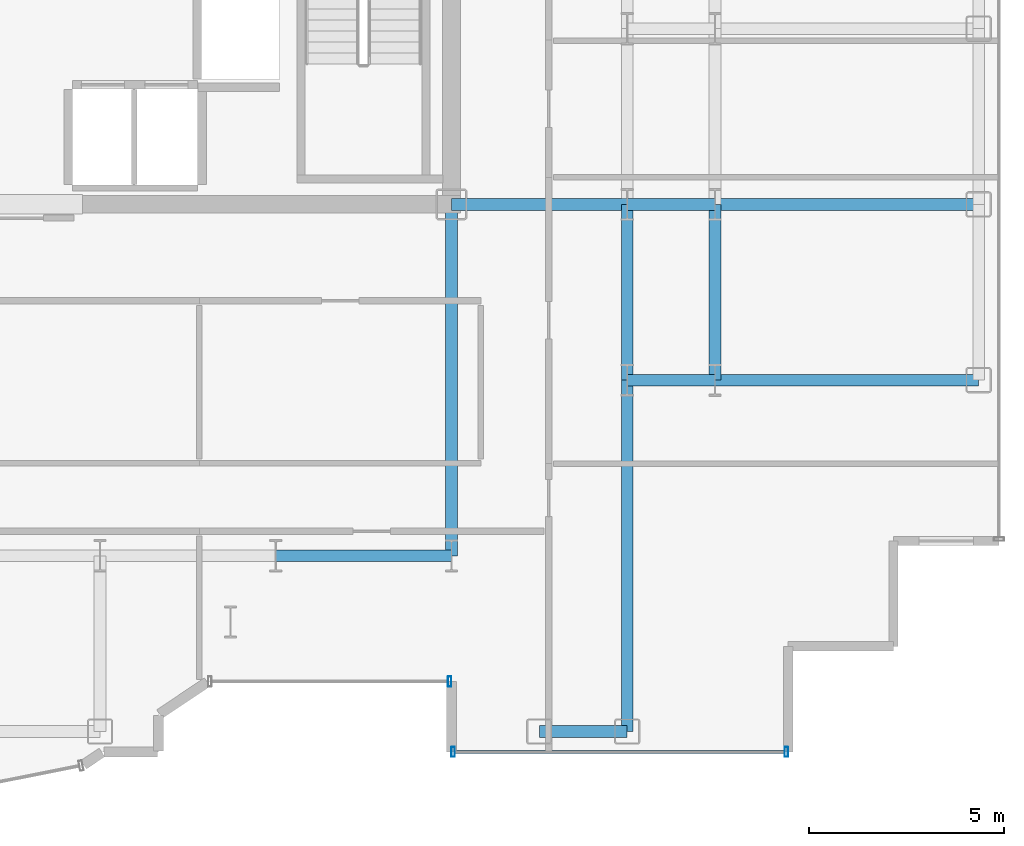
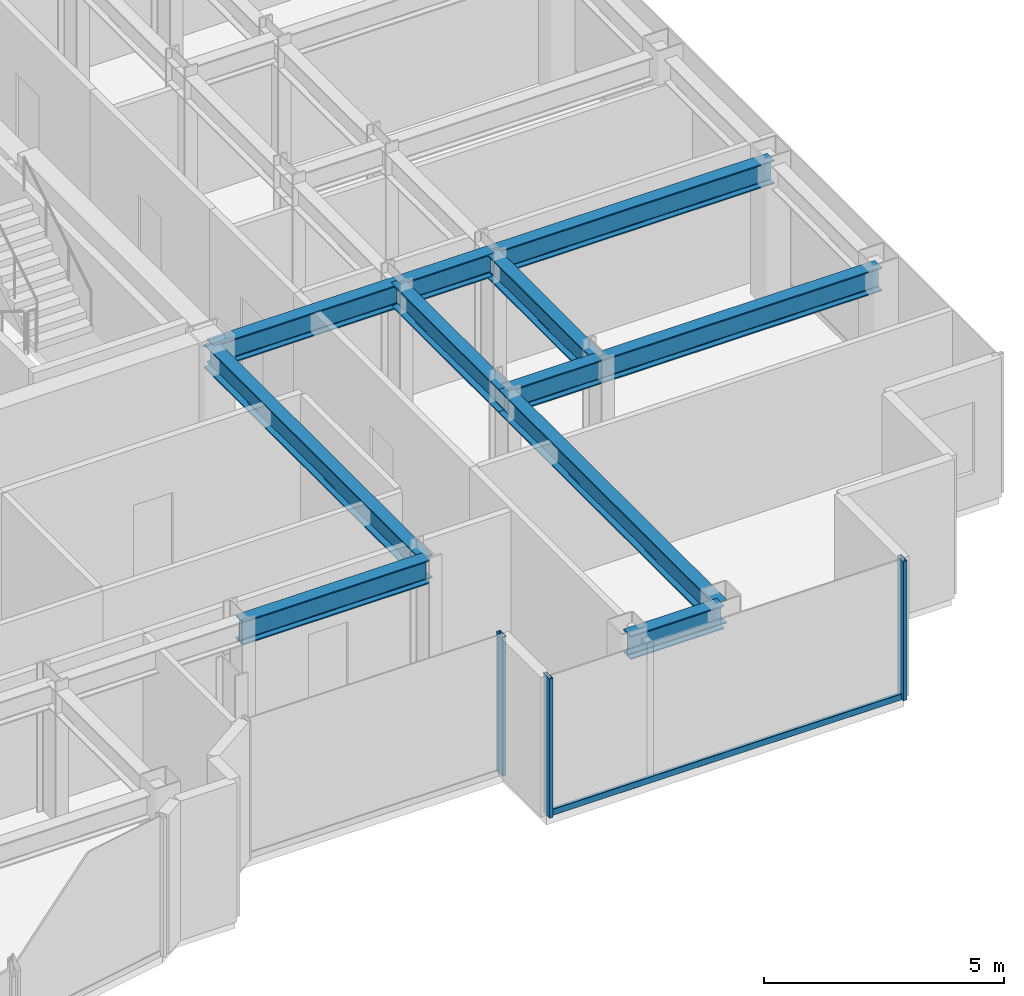
# One storey, part 5 of 20: 11 beams, 4 members, 2 elements without a shape of their own.
"""IFC4 building model written with IfcOpenShell, lengths in metres."""

from ifc_helpers import new_model, si_unit, direction, frame, origin, origin_2d, place, context, subcontext, project, spatial, hollow_rectangle, i_section, extrude, source, transform, mapped, material, layer, layer_set, material_profile, profile_set, type_object, element, aggregate, save


model = new_model("IFC4")

# Units and contexts
model_context = context("Model", 3, precision=1e-05, world=origin(), true_north=direction((0.0, 1.0)))
body_context = subcontext(model_context, "Body", "Model", "MODEL_VIEW")
ifc_project = project(units=[si_unit("LENGTHUNIT", "METRE"), si_unit("AREAUNIT", "SQUARE_METRE"), si_unit("VOLUMEUNIT", "CUBIC_METRE"), si_unit("PLANEANGLEUNIT", "RADIAN"), si_unit("MASSUNIT", "GRAM", prefix="KILO")], contexts=[model_context])

# Site, building, storey
site_placement = place(None, origin())
site = spatial("IfcSite", under=ifc_project, at=site_placement, CompositionType="ELEMENT")
building_placement = place(site_placement, origin())
building = spatial("IfcBuilding", under=site, at=building_placement, Name="Nefas-Gora Pilgrimage Tower", CompositionType="ELEMENT")
storey_placement = place(building_placement, frame((0.0, 0.0, 244.60009765625)))
storey = spatial("IfcBuildingStorey", under=building, at=storey_placement, Name="L61", CompositionType="ELEMENT", Elevation=244.60009765625)

# Beams
ifc_material_1 = material(Name="Steel S355", Category="steel")
ifc_material_profile_1 = material_profile(ifc_material_1, i_section(OverallWidth=0.300048828125, OverallDepth=0.60009765625, WebThickness=0.015380859375, FlangeThickness=0.030029296875, FilletRadius=0.027099609375, at=origin_2d()), Name="HEB 600")
ifc_profile_set_1 = profile_set([ifc_material_profile_1], Name="Steel S355")
beam_type_1 = type_object("IfcBeamType", Name="BM-GIR-HEB600", PredefinedType="BEAM", material=ifc_profile_set_1)
shared_shape_1 = source(origin(), body_context, "Body", "SweptSolid", [
    extrude(i_section(OverallWidth=0.300048828125, OverallDepth=0.60009765625, WebThickness=0.015380859375, FlangeThickness=0.030029296875, FilletRadius=0.027099609375, at=origin_2d()), origin(), (0.0, 0.0, 1.0), 9.0),
])
for number, where, z_axis, x_axis, name in (
    (1, (11.25, -18.0, 3.25), (0.0, 1.0, 0.0), (-1.0, 0.0, 0.0), "L61 G-04 beam"),
    (2, (15.75, -22.5, 3.25), (0.0, 1.0, 0.0), (-1.0, 0.0, 0.0), "L61 G-04 beam"),
):
    element("IfcBeam", number, at=place(storey_placement, frame(where, z_axis=z_axis, x_axis=x_axis)), inside=storey, type_object=beam_type_1, Name=name, PredefinedType="BEAM", context=body_context, shape_type="MappedRepresentation", body=[
        mapped(shared_shape_1, transform((0.0, 0.0, 0.0), x_axis=(1.0, 0.0, 0.0), y_axis=(0.0, 1.0, 0.0), z_axis=(0.0, 0.0, 1.0), scale=1.0)),
    ])
shared_shape_2 = source(origin(), body_context, "Body", "SweptSolid", [
    extrude(i_section(OverallWidth=0.300048828125, OverallDepth=0.60009765625, WebThickness=0.015380859375, FlangeThickness=0.030029296875, FilletRadius=0.027099609375, at=origin_2d()), origin(), (0.0, 0.0, 1.0), 4.5),
])
for number, where, z_axis, x_axis, name in (
    (3, (6.75, -18.0, 3.25), (1.0, 0.0, 0.0), (0.0, 1.0, 0.0), "L61 G-04 beam"),
    (4, (11.25, -9.0, 3.25), (1.0, 0.0, 0.0), (0.0, 1.0, 0.0), "L61 G-04 beam"),
    (5, (15.75, -13.5, 3.25), (0.0, 1.0, 0.0), (-1.0, 0.0, 0.0), "L61 G-04 beam"),
    (6, (18.0, -13.5, 3.25), (0.0, 1.0, 0.0), (-1.0, 0.0, 0.0), "L61 G-04 beam"),
):
    element("IfcBeam", number, at=place(storey_placement, frame(where, z_axis=z_axis, x_axis=x_axis)), inside=storey, type_object=beam_type_1, Name=name, PredefinedType="BEAM", context=body_context, shape_type="MappedRepresentation", body=[
        mapped(shared_shape_2, transform((0.0, 0.0, 0.0), x_axis=(1.0, 0.0, 0.0), y_axis=(0.0, 1.0, 0.0), z_axis=(0.0, 0.0, 1.0), scale=1.0)),
    ])
shared_shape_3 = source(origin(), body_context, "Body", "SweptSolid", [
    extrude(i_section(OverallWidth=0.300048828125, OverallDepth=0.60009765625, WebThickness=0.015380859375, FlangeThickness=0.030029296875, FilletRadius=0.027099609375, at=origin_2d()), origin(), (0.0, 0.0, 1.0), 6.75),
])
for number, where, z_axis, x_axis, name in (
    (7, (18.0, -13.5, 3.25), (1.0, 0.0, 0.0), (0.0, 1.0, 0.0), "L61 G-04 beam"),
    (8, (18.0, -9.0, 3.25), (1.0, 0.0, 0.0), (0.0, 1.0, 0.0), "L61 G-04 beam"),
):
    element("IfcBeam", number, at=place(storey_placement, frame(where, z_axis=z_axis, x_axis=x_axis)), inside=storey, type_object=beam_type_1, Name=name, PredefinedType="BEAM", context=body_context, shape_type="MappedRepresentation", body=[
        mapped(shared_shape_3, transform((0.0, 0.0, 0.0), x_axis=(1.0, 0.0, 0.0), y_axis=(0.0, 1.0, 0.0), z_axis=(0.0, 0.0, 1.0), scale=1.0)),
    ])
ifc_material_profile_2 = material_profile(ifc_material_1, i_section(OverallWidth=0.300048828125, OverallDepth=0.60009765625, WebThickness=0.015380859375, FlangeThickness=0.030029296875, FilletRadius=0.027099609375, at=origin_2d()), Name="HEB 600")
ifc_profile_set_2 = profile_set([ifc_material_profile_2], Name="Steel S355")
beam_type_2 = type_object("IfcBeamType", Name="BM-SPN-HEB450", PredefinedType="SPANDREL", material=ifc_profile_set_2)
shared_shape_4 = source(origin(), body_context, "Body", "SweptSolid", [
    extrude(i_section(OverallWidth=0.300048828125, OverallDepth=0.60009765625, WebThickness=0.015380859375, FlangeThickness=0.030029296875, FilletRadius=0.027099609375, at=origin_2d()), origin(), (0.0, 0.0, 1.0), 2.25),
])
beam_placement = place(storey_placement, frame((13.5, -22.5, 3.25), z_axis=(1.0, 0.0, 0.0), x_axis=(0.0, 1.0, 0.0)))
element("IfcBeam", 9, at=beam_placement, inside=storey, type_object=beam_type_2, Name="L61 SP-03 beam", PredefinedType="SPANDREL", context=body_context, shape_type="MappedRepresentation", body=[
    mapped(shared_shape_4, transform((0.0, 0.0, 0.0), x_axis=(1.0, 0.0, 0.0), y_axis=(0.0, 1.0, 0.0), z_axis=(0.0, 0.0, 1.0), scale=1.0)),
])
shared_shape_5 = source(origin(), body_context, "Body", "SweptSolid", [
    extrude(i_section(OverallWidth=0.300048828125, OverallDepth=0.60009765625, WebThickness=0.015380859375, FlangeThickness=0.030029296875, FilletRadius=0.027099609375, at=origin_2d()), origin(), (0.0, 0.0, 1.0), 2.25),
])
for number, where, z_axis, x_axis, name in (
    (10, (15.75, -13.5, 3.25), (1.0, 0.0, 0.0), (0.0, 1.0, 0.0), "L61 G-04 beam"),
    (11, (15.75, -9.0, 3.25), (1.0, 0.0, 0.0), (0.0, 1.0, 0.0), "L61 G-04 beam"),
):
    element("IfcBeam", number, at=place(storey_placement, frame(where, z_axis=z_axis, x_axis=x_axis)), inside=storey, type_object=beam_type_1, Name=name, PredefinedType="BEAM", context=body_context, shape_type="MappedRepresentation", body=[
        mapped(shared_shape_5, transform((0.0, 0.0, 0.0), x_axis=(1.0, 0.0, 0.0), y_axis=(0.0, 1.0, 0.0), z_axis=(0.0, 0.0, 1.0), scale=1.0)),
    ])

# Curtain wall, member
ifc_material_2 = material(Name="Dark ceramic-fritted solar-control aluminium-glass curtain wall", Category="aluminium")
ifc_layer_1 = layer(ifc_material_2, 0.219970703125)
ifc_layer_set_1 = layer_set([ifc_layer_1], Name="Dark ceramic-fritted solar-control aluminium-glass curtain wall")
curtain_wall_type_1 = type_object("IfcCurtainWallType", Name="CW-SYS-5", PredefinedType="NOTDEFINED", material=ifc_layer_set_1)
curtain_wall_1_placement = place(storey_placement, origin())
curtain_wall_1 = element("IfcCurtainWall", 12, at=curtain_wall_1_placement, inside=storey, type_object=curtain_wall_type_1, Name="L61 Unitised Curtain Wall CW5", PredefinedType="NOTDEFINED")
ifc_material_3 = material(Name="Anodised architectural aluminium", Category="aluminium")
ifc_material_profile_3 = material_profile(ifc_material_3, hollow_rectangle(XDim=0.090087890625, YDim=0.260009765625, WallThickness=0.006103515625, InnerFilletRadius=0.006103515625, OuterFilletRadius=0.011962890625, at=origin_2d()), Name="ALU MULLION 90x260")
ifc_profile_set_3 = profile_set([ifc_material_profile_3], Name="Anodised architectural aluminium")
member_type_1 = type_object("IfcMemberType", Name="CWM-MUL-5", PredefinedType="MULLION", material=ifc_profile_set_3)
shared_shape_6 = source(origin(), body_context, "Body", "SweptSolid", [
    extrude(hollow_rectangle(XDim=0.090087890625, YDim=0.260009765625, WallThickness=0.006103515625, InnerFilletRadius=0.006103515625, OuterFilletRadius=0.011962890625, at=origin_2d()), origin(), (0.0, 0.0, 1.0), 3.5498046875),
])
member_1_placement = place(storey_placement, frame((11.205078125, -21.219970703125, 0.0), z_axis=(0.0, 0.0, 1.0), x_axis=(1.0, 0.0, 0.0)))
member_1 = element("IfcMember", 13, at=member_1_placement, type_object=member_type_1, Name="CW5 Mullion 2", PredefinedType="MULLION", context=body_context, shape_type="MappedRepresentation", body=[
    mapped(shared_shape_6, transform((0.0, 0.0, 0.0), x_axis=(1.0, 0.0, 0.0), y_axis=(0.0, 1.0, 0.0), z_axis=(0.0, 0.0, 1.0), scale=1.0)),
])
aggregate(curtain_wall_1, [member_1])

# Curtain wall, members
ifc_layer_2 = layer(ifc_material_2, 0.219970703125)
ifc_layer_set_2 = layer_set([ifc_layer_2], Name="Dark ceramic-fritted solar-control aluminium-glass curtain wall")
curtain_wall_type_2 = type_object("IfcCurtainWallType", Name="CW-SYS-3", PredefinedType="NOTDEFINED", material=ifc_layer_set_2)
curtain_wall_2_placement = place(storey_placement, origin())
curtain_wall_2 = element("IfcCurtainWall", 14, at=curtain_wall_2_placement, inside=storey, type_object=curtain_wall_type_2, Name="L61 Unitised Curtain Wall CW3", PredefinedType="NOTDEFINED")
ifc_material_profile_4 = material_profile(ifc_material_3, hollow_rectangle(XDim=0.080078125, YDim=0.159912109375, WallThickness=0.00439453125, InnerFilletRadius=0.00439453125, OuterFilletRadius=0.009033203125, at=origin_2d()), Name="ALU TRANSOM 80x160")
ifc_profile_set_4 = profile_set([ifc_material_profile_4], Name="Anodised architectural aluminium")
member_type_2 = type_object("IfcMemberType", Name="CWM-TRN-3", PredefinedType="USERDEFINED", material=ifc_profile_set_4)
shared_shape_7 = source(origin(), body_context, "Body", "SweptSolid", [
    extrude(hollow_rectangle(XDim=0.080078125, YDim=0.159912109375, WallThickness=0.00439453125, InnerFilletRadius=0.00439453125, OuterFilletRadius=0.009033203125, at=origin_2d()), origin(), (0.0, 0.0, 1.0), 8.43994140625),
])
member_2_placement = place(storey_placement, frame((11.340087890625, -23.02001953125, 0.0498046875), z_axis=(1.0, 0.0, 0.0), x_axis=(0.0, 1.0, 0.0)))
member_2 = element("IfcMember", 15, at=member_2_placement, type_object=member_type_2, Name="CW3 Spandrel Transom", ObjectType="TRANSOM", PredefinedType="USERDEFINED", context=body_context, shape_type="MappedRepresentation", body=[
    mapped(shared_shape_7, transform((0.0, 0.0, 0.0), x_axis=(1.0, 0.0, 0.0), y_axis=(0.0, 1.0, 0.0), z_axis=(0.0, 0.0, 1.0), scale=1.0)),
])
ifc_material_profile_5 = material_profile(ifc_material_3, hollow_rectangle(XDim=0.090087890625, YDim=0.260009765625, WallThickness=0.006103515625, InnerFilletRadius=0.006103515625, OuterFilletRadius=0.011962890625, at=origin_2d()), Name="ALU MULLION 90x260")
ifc_profile_set_5 = profile_set([ifc_material_profile_5], Name="Anodised architectural aluminium")
member_type_3 = type_object("IfcMemberType", Name="CWM-MUL-3", PredefinedType="MULLION", material=ifc_profile_set_5)
shared_shape_8 = source(origin(), body_context, "Body", "SweptSolid", [
    extrude(hollow_rectangle(XDim=0.090087890625, YDim=0.260009765625, WallThickness=0.006103515625, InnerFilletRadius=0.006103515625, OuterFilletRadius=0.011962890625, at=origin_2d()), origin(), (0.0, 0.0, 1.0), 3.5498046875),
])
member_3_placement = place(storey_placement, frame((11.294921875, -23.02001953125, 0.0), z_axis=(0.0, 0.0, 1.0), x_axis=(1.0, 0.0, 0.0)))
member_3 = element("IfcMember", 16, at=member_3_placement, type_object=member_type_3, Name="CW3 Mullion 1", PredefinedType="MULLION", context=body_context, shape_type="MappedRepresentation", body=[
    mapped(shared_shape_8, transform((0.0, 0.0, 0.0), x_axis=(1.0, 0.0, 0.0), y_axis=(0.0, 1.0, 0.0), z_axis=(0.0, 0.0, 1.0), scale=1.0)),
])
member_4_placement = place(storey_placement, frame((19.824951171875, -23.02001953125, 0.0), z_axis=(0.0, 0.0, 1.0), x_axis=(1.0, 0.0, 0.0)))
member_4 = element("IfcMember", 17, at=member_4_placement, type_object=member_type_3, Name="CW3 Mullion 2", PredefinedType="MULLION", context=body_context, shape_type="MappedRepresentation", body=[
    mapped(shared_shape_8, transform((0.0, 0.0, 0.0), x_axis=(1.0, 0.0, 0.0), y_axis=(0.0, 1.0, 0.0), z_axis=(0.0, 0.0, 1.0), scale=1.0)),
])
aggregate(curtain_wall_2, [member_3, member_4, member_2])

save(model, "model.ifc")
